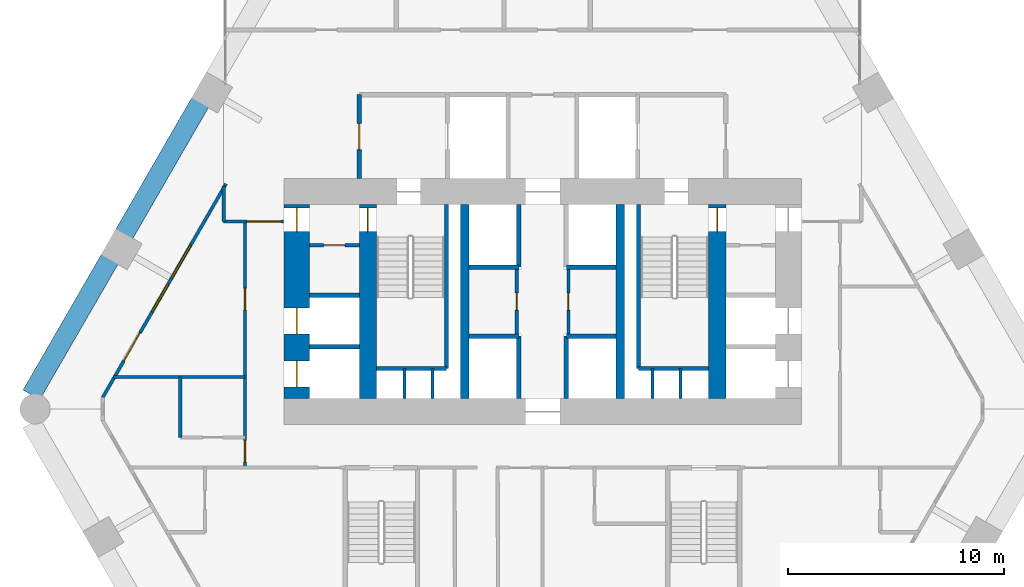
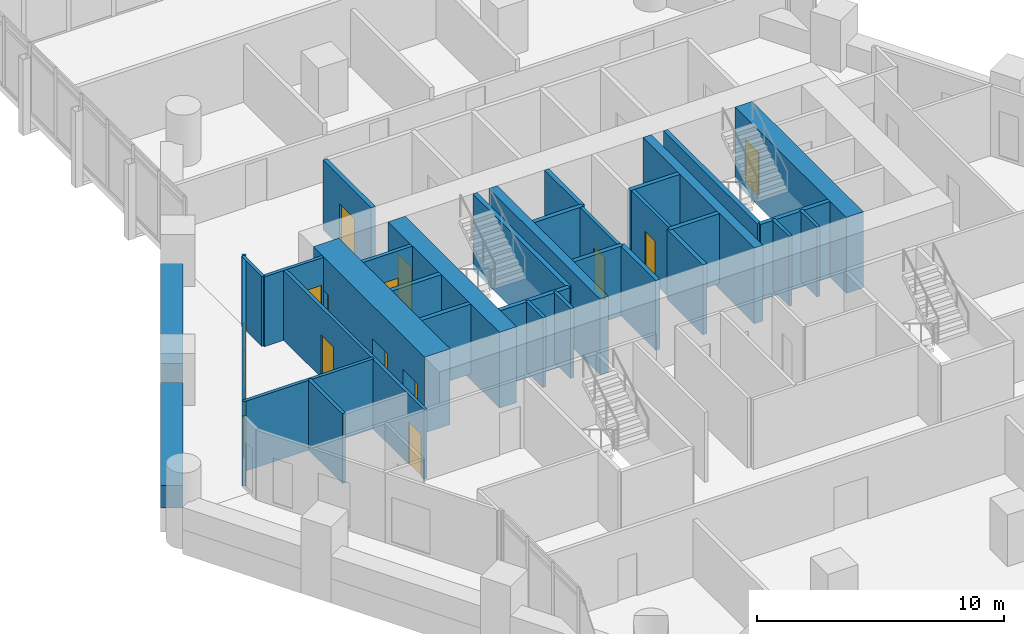
# One storey, part 25 of 28: 34 walls, 13 doors, 2 windows, 15 openings.
"""IFC4 building model written with IfcOpenShell, lengths in metres."""

from ifc_helpers import new_model, si_unit, direction, frame, frame_2d, origin, place, context, subcontext, project, spatial, rectangle, extrude, material, layer, layer_set, type_object, element, fill, save


model = new_model("IFC4")

# Units and contexts
model_context = context("Model", 3, precision=1e-05, world=origin(), true_north=direction((0.0, 1.0)))
body_context = subcontext(model_context, "Body", "Model", "MODEL_VIEW")
ifc_project = project(units=[si_unit("LENGTHUNIT", "METRE"), si_unit("AREAUNIT", "SQUARE_METRE"), si_unit("VOLUMEUNIT", "CUBIC_METRE"), si_unit("PLANEANGLEUNIT", "RADIAN"), si_unit("MASSUNIT", "GRAM", prefix="KILO")], contexts=[model_context])

# Site, building, storey
site_placement = place(None, origin())
site = spatial("IfcSite", under=ifc_project, at=site_placement, CompositionType="ELEMENT")
building_placement = place(site_placement, origin())
building = spatial("IfcBuilding", under=site, at=building_placement, Name="Ostrander Bayou Hotel Tower", CompositionType="ELEMENT")
storey_placement = place(building_placement, frame((0.0, 0.0, 73.0)))
storey = spatial("IfcBuildingStorey", under=building, at=storey_placement, Name="L18", CompositionType="ELEMENT", Elevation=73.0)

# Wall, openings, doors
ifc_material_1 = material(Name="Concrete f'c 70 MPa", Category="concrete")
ifc_layer_1 = layer(ifc_material_1, 1.199951171875)
ifc_layer_set_1 = layer_set([ifc_layer_1], Name="CW1 core wall 1200 mm f'c 70 MPa")
wall_type_1 = type_object("IfcWallType", Name="CW1 core wall 1200 mm f'c 70 MPa", PredefinedType="SHEAR", material=ifc_layer_set_1)
wall_1_placement = place(storey_placement, frame((-11.39990234375, -0.5, -0.300048828125), z_axis=(0.0, 0.0, 1.0), x_axis=(0.0, 1.0, 0.0)))
wall_1 = element("IfcWall", 1, at=wall_1_placement, inside=storey, type_object=wall_type_1, Name="CW1 L18 RW", PredefinedType="SHEAR", context=body_context, shape_type="SweptSolid", body=[
    extrude(rectangle(XDim=9.0, YDim=1.199951171875, at=frame_2d((4.5, 0.0))), origin(), (0.0, 0.0, 1.0), 3.75),
])
opening_1_placement = place(wall_1_placement, frame((7.75, 0.0, 0.0)))
opening_1 = element("IfcOpeningElement", 2, at=opening_1_placement, cuts=wall_1, Name="Opening T18-017", PredefinedType="OPENING", context=body_context, shape_type="SweptSolid", body=[
    extrude(rectangle(XDim=1.10009765625, YDim=2.10009765625, at=frame_2d((0.550048828125, 1.050048828125))), frame((0.0, 0.60009765625, 0.0), z_axis=(0.0, -1.0, 0.0), x_axis=(1.0, 0.0, 0.0)), (0.0, 0.0, 1.0), 1.199951171875),
])
opening_2_placement = place(wall_1_placement, frame((0.550048828125, 0.0, 0.0)))
opening_2 = element("IfcOpeningElement", 3, at=opening_2_placement, cuts=wall_1, Name="Opening T18-018", PredefinedType="OPENING", context=body_context, shape_type="SweptSolid", body=[
    extrude(rectangle(XDim=1.199951171875, YDim=2.10009765625, at=frame_2d((0.60009765625, 1.050048828125))), frame((0.0, 0.60009765625, 0.0), z_axis=(0.0, -1.0, 0.0), x_axis=(1.0, 0.0, 0.0)), (0.0, 0.0, 1.0), 1.199951171875),
])
opening_3_placement = place(wall_1_placement, frame((3.0, 0.0, 0.0)))
opening_3 = element("IfcOpeningElement", 4, at=opening_3_placement, cuts=wall_1, Name="Opening T18-019", PredefinedType="OPENING", context=body_context, shape_type="SweptSolid", body=[
    extrude(rectangle(XDim=1.199951171875, YDim=2.10009765625, at=frame_2d((0.60009765625, 1.050048828125))), frame((0.0, 0.60009765625, 0.0), z_axis=(0.0, -1.0, 0.0), x_axis=(1.0, 0.0, 0.0)), (0.0, 0.0, 1.0), 1.199951171875),
])
ifc_material_2 = material(Name="Timber door leaf", Category="wood")
door_type_1 = type_object("IfcDoorType", Name="D5 stair door 1100 x 2100 mm, 90 minute", OperationType="SINGLE_SWING_LEFT", PredefinedType="DOOR", material=ifc_material_2)
door_1_placement = place(opening_1_placement, origin())
door_1 = element("IfcDoor", 5, at=door_1_placement, inside=storey, type_object=door_type_1, Name="dr:L18:017", OperationType="SINGLE_SWING_LEFT", OverallHeight=2.10009765625, OverallWidth=1.10009765625, PredefinedType="DOOR", context=body_context, shape_type="SweptSolid", body=[
    extrude(rectangle(XDim=1.10009765625, YDim=2.10009765625, at=frame_2d((0.550048828125, 1.050048828125))), frame((0.0, 0.02490234375, 0.0), z_axis=(0.0, -1.0, 0.0), x_axis=(1.0, 0.0, 0.0)), (0.0, 0.0, 1.0), 0.050048828125),
])
fill(opening_1, door_1)
ifc_material_3 = material(Name="Stainless steel sliding door", Category="steel")
door_type_2 = type_object("IfcDoorType", Name="LD1 lift landing door 1200 x 2100 mm", OperationType="SINGLE_SWING_LEFT", PredefinedType="DOOR", material=ifc_material_3)
door_2_placement = place(opening_2_placement, origin())
door_2 = element("IfcDoor", 6, at=door_2_placement, inside=storey, type_object=door_type_2, Name="dr:L18:018", OperationType="SLIDING_TO_LEFT", OverallHeight=2.10009765625, OverallWidth=1.199951171875, PredefinedType="DOOR", context=body_context, shape_type="SweptSolid", body=[
    extrude(rectangle(XDim=1.199951171875, YDim=2.10009765625, at=frame_2d((0.60009765625, 1.050048828125))), frame((0.0, 0.02490234375, 0.0), z_axis=(0.0, -1.0, 0.0), x_axis=(1.0, 0.0, 0.0)), (0.0, 0.0, 1.0), 0.050048828125),
])
fill(opening_2, door_2)
door_3_placement = place(opening_3_placement, origin())
door_3 = element("IfcDoor", 7, at=door_3_placement, inside=storey, type_object=door_type_2, Name="dr:L18:019", OperationType="SLIDING_TO_LEFT", OverallHeight=2.10009765625, OverallWidth=1.199951171875, PredefinedType="DOOR", context=body_context, shape_type="SweptSolid", body=[
    extrude(rectangle(XDim=1.199951171875, YDim=2.10009765625, at=frame_2d((0.60009765625, 1.050048828125))), frame((0.0, 0.02490234375, 0.0), z_axis=(0.0, -1.0, 0.0), x_axis=(1.0, 0.0, 0.0)), (0.0, 0.0, 1.0), 0.050048828125),
])
fill(opening_3, door_3)

# Wall, opening, door
ifc_material_4 = material(Name="Concrete f'c 70 MPa", Category="concrete")
ifc_layer_2 = layer(ifc_material_4, 0.800048828125)
ifc_layer_set_2 = layer_set([ifc_layer_2], Name="CW2 core spine wall 800 mm f'c 70 MPa")
wall_type_2 = type_object("IfcWallType", Name="CW2 core spine wall 800 mm f'c 70 MPa", PredefinedType="SHEAR", material=ifc_layer_set_2)
wall_2_placement = place(storey_placement, frame((-8.10009765625, -0.5, -0.300048828125), z_axis=(0.0, 0.0, 1.0), x_axis=(0.0, 1.0, 0.0)))
wall_2 = element("IfcWall", 8, at=wall_2_placement, inside=storey, type_object=wall_type_2, Name="CW2 L18 W", PredefinedType="SHEAR", context=body_context, shape_type="SweptSolid", body=[
    extrude(rectangle(XDim=9.0, YDim=0.800048828125, at=frame_2d((4.5, 0.0))), origin(), (0.0, 0.0, 1.0), 3.75),
])
opening_4_placement = place(wall_2_placement, frame((7.75, 0.0, 0.0)))
opening_4 = element("IfcOpeningElement", 9, at=opening_4_placement, cuts=wall_2, Name="Opening T18-004", PredefinedType="OPENING", context=body_context, shape_type="SweptSolid", body=[
    extrude(rectangle(XDim=1.10009765625, YDim=2.10009765625, at=frame_2d((0.550048828125, 1.050048828125))), frame((0.0, 0.39990234375, 0.0), z_axis=(0.0, -1.0, 0.0), x_axis=(1.0, 0.0, 0.0)), (0.0, 0.0, 1.0), 0.800048828125),
])
door_4_placement = place(opening_4_placement, origin())
door_4 = element("IfcDoor", 10, at=door_4_placement, inside=storey, type_object=door_type_1, Name="dr:L18:004", OperationType="SINGLE_SWING_RIGHT", OverallHeight=2.10009765625, OverallWidth=1.10009765625, PredefinedType="DOOR", context=body_context, shape_type="SweptSolid", body=[
    extrude(rectangle(XDim=1.10009765625, YDim=2.10009765625, at=frame_2d((0.550048828125, 1.050048828125))), frame((0.0, 0.02490234375, 0.0), z_axis=(0.0, -1.0, 0.0), x_axis=(1.0, 0.0, 0.0)), (0.0, 0.0, 1.0), 0.050048828125),
])
fill(opening_4, door_4)

wall_3_placement = place(storey_placement, frame((8.10009765625, -0.5, -0.300048828125), z_axis=(0.0, 0.0, 1.0), x_axis=(0.0, 1.0, 0.0)))
wall_3 = element("IfcWall", 11, at=wall_3_placement, inside=storey, type_object=wall_type_2, Name="CW2 L18 E", PredefinedType="SHEAR", context=body_context, shape_type="SweptSolid", body=[
    extrude(rectangle(XDim=9.0, YDim=0.800048828125, at=frame_2d((4.5, 0.0))), origin(), (0.0, 0.0, 1.0), 3.75),
])
opening_5_placement = place(wall_3_placement, frame((7.75, 0.0, 0.0)))
opening_5 = element("IfcOpeningElement", 12, at=opening_5_placement, cuts=wall_3, Name="Opening T18-006", PredefinedType="OPENING", context=body_context, shape_type="SweptSolid", body=[
    extrude(rectangle(XDim=1.10009765625, YDim=2.10009765625, at=frame_2d((0.550048828125, 1.050048828125))), frame((0.0, 0.39990234375, 0.0), z_axis=(0.0, -1.0, 0.0), x_axis=(1.0, 0.0, 0.0)), (0.0, 0.0, 1.0), 0.800048828125),
])
door_5_placement = place(opening_5_placement, origin())
door_5 = element("IfcDoor", 13, at=door_5_placement, inside=storey, type_object=door_type_1, Name="dr:L18:006", OperationType="SINGLE_SWING_LEFT", OverallHeight=2.10009765625, OverallWidth=1.10009765625, PredefinedType="DOOR", context=body_context, shape_type="SweptSolid", body=[
    extrude(rectangle(XDim=1.10009765625, YDim=2.10009765625, at=frame_2d((0.550048828125, 1.050048828125))), frame((0.0, 0.02490234375, 0.0), z_axis=(0.0, -1.0, 0.0), x_axis=(1.0, 0.0, 0.0)), (0.0, 0.0, 1.0), 0.050048828125),
])
fill(opening_5, door_5)

# Walls
ifc_material_5 = material(Name="Concrete f'c 70 MPa", Category="concrete")
ifc_layer_3 = layer(ifc_material_5, 0.39990234375)
ifc_layer_set_3 = layer_set([ifc_layer_3], Name="CW3 core bank wall 400 mm f'c 70 MPa")
wall_type_3 = type_object("IfcWallType", Name="CW3 core bank wall 400 mm f'c 70 MPa", PredefinedType="SHEAR", material=ifc_layer_set_3)
for number, where, z_axis, x_axis, name in (
    (14, (-3.60009765625, -0.5, -0.300048828125), (0.0, 0.0, 1.0), (0.0, 1.0, 0.0), "CW3 L18 CW"),
    (15, (3.60009765625, -0.5, -0.300048828125), (0.0, 0.0, 1.0), (0.0, 1.0, 0.0), "CW3 L18 CE"),
):
    element("IfcWall", number, at=place(storey_placement, frame(where, z_axis=z_axis, x_axis=x_axis)), inside=storey, type_object=wall_type_3, Name=name, PredefinedType="SHEAR", context=body_context, shape_type="SweptSolid", body=[
        extrude(rectangle(XDim=9.0, YDim=0.39990234375, at=frame_2d((4.5, 0.0))), origin(), (0.0, 0.0, 1.0), 3.75),
    ])

# Wall, openings, door, windows
ifc_material_6 = material(Name="Aluminium framed insulated wall", Category="aluminium")
ifc_layer_4 = layer(ifc_material_6, 0.14990234375)
ifc_layer_set_4 = layer_set([ifc_layer_4], Name="GW1 glass-line wall 150 mm")
wall_type_4 = type_object("IfcWallType", Name="GW1 glass-line wall 150 mm", PredefinedType="SOLIDWALL", material=ifc_layer_set_4)
wall_4_placement = place(storey_placement, frame((-14.678955078125, 9.46142578125, 0.0), z_axis=(0.0, 0.0, 1.0), x_axis=(-0.499991453095, -0.866030338286, 0.0)))
wall_4 = element("IfcWall", 16, at=wall_4_placement, inside=storey, type_object=wall_type_4, Name="GW1 L18 NW 1", PredefinedType="SOLIDWALL", context=body_context, shape_type="SweptSolid", body=[
    extrude(rectangle(XDim=11.444091796875, YDim=0.14990234375, at=frame_2d((5.72216796875, 0.0))), origin(), (0.0, 0.0, 1.0), 3.449951171875),
])
opening_6_placement = place(wall_4_placement, frame((3.25439453125, 0.0, 0.14990234375)))
opening_6 = element("IfcOpeningElement", 17, at=opening_6_placement, cuts=wall_4, Name="Opening W7", PredefinedType="OPENING", context=body_context, shape_type="SweptSolid", body=[
    extrude(rectangle(XDim=1.800048828125, YDim=2.199951171875, at=frame_2d((0.89990234375, 1.10009765625))), frame((0.0, 0.074951171875, 0.0), z_axis=(0.0, -1.0, 0.0), x_axis=(1.0, 0.0, 0.0)), (0.0, 0.0, 1.0), 0.14990234375),
])
opening_7_placement = place(wall_4_placement, frame((5.3544921875, 0.0, 0.14990234375)))
opening_7 = element("IfcOpeningElement", 18, at=opening_7_placement, cuts=wall_4, Name="Opening W11", PredefinedType="OPENING", context=body_context, shape_type="SweptSolid", body=[
    extrude(rectangle(XDim=1.5, YDim=2.199951171875, at=frame_2d((0.75, 1.10009765625))), frame((0.0, 0.074951171875, 0.0), z_axis=(0.0, -1.0, 0.0), x_axis=(1.0, 0.0, 0.0)), (0.0, 0.0, 1.0), 0.14990234375),
])
opening_8_placement = place(wall_4_placement, frame((7.973876953125, 0.0, 0.0)))
opening_8 = element("IfcOpeningElement", 19, at=opening_8_placement, cuts=wall_4, Name="Opening T18-800", PredefinedType="OPENING", context=body_context, shape_type="SweptSolid", body=[
    extrude(rectangle(XDim=1.5, YDim=2.39990234375, at=frame_2d((0.75, 1.199951171875))), frame((0.0, 0.074951171875, 0.0), z_axis=(0.0, -1.0, 0.0), x_axis=(1.0, 0.0, 0.0)), (0.0, 0.0, 1.0), 0.14990234375),
])
ifc_material_7 = material(Name="Aluminium and clear glass", Category="aluminium")
door_type_3 = type_object("IfcDoorType", Name="SD1 sliding glass door 1500 mm, zone 1", OperationType="SLIDING_TO_LEFT", PredefinedType="DOOR", material=ifc_material_7)
door_6_placement = place(opening_8_placement, origin())
door_6 = element("IfcDoor", 20, at=door_6_placement, inside=storey, type_object=door_type_3, Name="SD1 L18 NW 5", OperationType="SLIDING_TO_LEFT", OverallHeight=2.39990234375, OverallWidth=1.5, PredefinedType="DOOR", context=body_context, shape_type="SweptSolid", body=[
    extrude(rectangle(XDim=1.5, YDim=2.39990234375, at=frame_2d((0.75, 1.199951171875))), frame((0.0, 0.02490234375, 0.0), z_axis=(0.0, -1.0, 0.0), x_axis=(1.0, 0.0, 0.0)), (0.0, 0.0, 1.0), 0.050048828125),
])
fill(opening_8, door_6)
ifc_material_8 = material(Name="Aluminium and clear glass", Category="aluminium")
window_type_1 = type_object("IfcWindowType", Name="W11 fixed window 1500 mm, bath bay, zone 1", PartitioningType="SINGLE_PANEL", PredefinedType="WINDOW", material=ifc_material_8)
window_1_placement = place(opening_7_placement, origin())
window_1 = element("IfcWindow", 21, at=window_1_placement, inside=storey, type_object=window_type_1, Name="W11 L18 NW 4", OverallHeight=2.199951171875, OverallWidth=1.5, PartitioningType="SINGLE_PANEL", PredefinedType="WINDOW", context=body_context, shape_type="SweptSolid", body=[
    extrude(rectangle(XDim=1.5, YDim=2.199951171875, at=frame_2d((0.75, 1.10009765625))), frame((0.0, 0.030029296875, 0.0), z_axis=(0.0, -1.0, 0.0), x_axis=(1.0, 0.0, 0.0)), (0.0, 0.0, 1.0), 0.06005859375),
])
fill(opening_7, window_1)
ifc_material_9 = material(Name="Aluminium and clear glass", Category="aluminium")
window_type_2 = type_object("IfcWindowType", Name="W7 fixed window 1800 mm, bar storeys, zone 1", PartitioningType="SINGLE_PANEL", PredefinedType="WINDOW", material=ifc_material_9)
window_2_placement = place(opening_6_placement, origin())
window_2 = element("IfcWindow", 22, at=window_2_placement, inside=storey, type_object=window_type_2, Name="W7 L18 NW 4", OverallHeight=2.199951171875, OverallWidth=1.800048828125, PartitioningType="SINGLE_PANEL", PredefinedType="WINDOW", context=body_context, shape_type="SweptSolid", body=[
    extrude(rectangle(XDim=1.800048828125, YDim=2.199951171875, at=frame_2d((0.89990234375, 1.10009765625))), frame((0.0, 0.030029296875, 0.0), z_axis=(0.0, -1.0, 0.0), x_axis=(1.0, 0.0, 0.0)), (0.0, 0.0, 1.0), 0.06005859375),
])
fill(opening_6, window_2)

# Walls
ifc_material_10 = material(Name="Concrete f'c 40 MPa", Category="concrete")
ifc_layer_5 = layer(ifc_material_10, 0.89990234375)
ifc_layer_set_5 = layer_set([ifc_layer_5], Name="PA1 stone-faced parapet 900 mm")
wall_type_5 = type_object("IfcWallType", Name="PA1 stone-faced parapet 900 mm", PredefinedType="PARAPET", material=ifc_layer_set_5)
wall_5_placement = place(storey_placement, frame((-15.876708984375, 13.237060546875, 0.0), z_axis=(0.0, 0.0, 1.0), x_axis=(-0.500012199891, -0.86601836006, 0.0)))
element("IfcWall", 23, at=wall_5_placement, inside=storey, type_object=wall_type_5, Name="PA1 L18 NW-2", PredefinedType="PARAPET", context=body_context, shape_type="SweptSolid", body=[
    extrude(rectangle(XDim=7.050537109375, YDim=0.89990234375, at=frame_2d((3.525390625, 0.0))), origin(), (0.0, 0.0, 1.0), 1.10009765625),
])
wall_6_placement = place(storey_placement, frame((-20.072021484375, 5.970458984375, 0.0), z_axis=(0.0, 0.0, 1.0), x_axis=(-0.50000343918, -0.866023418164, 0.0)))
element("IfcWall", 24, at=wall_6_placement, inside=storey, type_object=wall_type_5, Name="PA1 L18 NW-3", PredefinedType="PARAPET", context=body_context, shape_type="SweptSolid", body=[
    extrude(rectangle(XDim=7.2705078125, YDim=0.89990234375, at=frame_2d((3.63525390625, 0.0))), origin(), (0.0, 0.0, 1.0), 1.10009765625),
])

# Wall, opening, door
ifc_material_11 = material(Name="Gypsum board partition", Category="finish")
ifc_layer_6 = layer(ifc_material_11, 0.175048828125)
ifc_layer_set_6 = layer_set([ifc_layer_6], Name="PT4 corridor wall 175 mm, 1 hour")
wall_type_6 = type_object("IfcWallType", Name="PT4 corridor wall 175 mm, 1 hour", PredefinedType="PARTITIONING", material=ifc_layer_set_6)
wall_7_placement = place(storey_placement, frame((-10.800048828125, 6.614013671875, 0.0), z_axis=(0.0, 0.0, 1.0), x_axis=(1.0, 0.0, 0.0)))
wall_7 = element("IfcWall", 25, at=wall_7_placement, inside=storey, type_object=wall_type_6, Name="cs:L18:036", PredefinedType="PARTITIONING", context=body_context, shape_type="SweptSolid", body=[
    extrude(rectangle(XDim=2.300048828125, YDim=0.175048828125, at=frame_2d((1.14990234375, 0.0))), origin(), (0.0, 0.0, 1.0), 3.449951171875),
])
opening_9_placement = place(wall_7_placement, frame((0.64990234375, 0.0, 0.0)))
opening_9 = element("IfcOpeningElement", 26, at=opening_9_placement, cuts=wall_7, Name="Opening T18-016", PredefinedType="OPENING", context=body_context, shape_type="SweptSolid", body=[
    extrude(rectangle(XDim=1.0, YDim=2.10009765625, at=frame_2d((0.5, 1.050048828125))), frame((0.0, 0.08740234375, 0.0), z_axis=(0.0, -1.0, 0.0), x_axis=(1.0, 0.0, 0.0)), (0.0, 0.0, 1.0), 0.175048828125),
])
ifc_material_12 = material(Name="Timber door leaf", Category="wood")
door_type_4 = type_object("IfcDoorType", Name="D4 corridor door 1000 x 2100 mm, 1 hour", OperationType="SINGLE_SWING_LEFT", PredefinedType="DOOR", material=ifc_material_12)
door_7_placement = place(opening_9_placement, origin())
door_7 = element("IfcDoor", 27, at=door_7_placement, inside=storey, type_object=door_type_4, Name="dr:L18:016", OperationType="SINGLE_SWING_LEFT", OverallHeight=2.10009765625, OverallWidth=1.0, PredefinedType="DOOR", context=body_context, shape_type="SweptSolid", body=[
    extrude(rectangle(XDim=1.0, YDim=2.10009765625, at=frame_2d((0.5, 1.050048828125))), frame((0.0, 0.02490234375, 0.0), z_axis=(0.0, -1.0, 0.0), x_axis=(1.0, 0.0, 0.0)), (0.0, 0.0, 1.0), 0.050048828125),
])
fill(opening_9, door_7)

ifc_material_13 = material(Name="Masonry block", Category="masonry")
ifc_layer_7 = layer(ifc_material_13, 0.199951171875)
ifc_layer_set_7 = layer_set([ifc_layer_7], Name="PT5 stair enclosure wall 200 mm masonry, 2 hour")
wall_type_7 = type_object("IfcWallType", Name="PT5 stair enclosure wall 200 mm masonry, 2 hour", PredefinedType="PARTITIONING", material=ifc_layer_set_7)
wall_8_placement = place(storey_placement, frame((-8.5, 9.699951171875, 0.0), z_axis=(0.0, 0.0, 1.0), x_axis=(0.0, 1.0, 0.0)))
wall_8 = element("IfcWall", 28, at=wall_8_placement, inside=storey, type_object=wall_type_7, Name="cs:L18:026", PredefinedType="PARTITIONING", context=body_context, shape_type="SweptSolid", body=[
    extrude(rectangle(XDim=3.900146484375, YDim=0.199951171875, at=frame_2d((1.9501953125, 0.0))), origin(), (0.0, 0.0, 1.0), 3.449951171875),
])
opening_10_placement = place(wall_8_placement, frame((1.35009765625, 0.0, 0.0)))
opening_10 = element("IfcOpeningElement", 29, at=opening_10_placement, cuts=wall_8, Name="Opening T18-010", PredefinedType="OPENING", context=body_context, shape_type="SweptSolid", body=[
    extrude(rectangle(XDim=1.199951171875, YDim=2.10009765625, at=frame_2d((0.60009765625, 1.050048828125))), frame((0.0, 0.10009765625, 0.0), z_axis=(0.0, -1.0, 0.0), x_axis=(1.0, 0.0, 0.0)), (0.0, 0.0, 1.0), 0.199951171875),
])
ifc_material_14 = material(Name="Timber door leaf", Category="wood")
door_type_5 = type_object("IfcDoorType", Name="D7 lobby door 1200 x 2100 mm, 1 hour", OperationType="SINGLE_SWING_LEFT", PredefinedType="DOOR", material=ifc_material_14)
door_8_placement = place(opening_10_placement, origin())
door_8 = element("IfcDoor", 30, at=door_8_placement, inside=storey, type_object=door_type_5, Name="dr:L18:010", OperationType="SINGLE_SWING_LEFT", OverallHeight=2.10009765625, OverallWidth=1.199951171875, PredefinedType="DOOR", context=body_context, shape_type="SweptSolid", body=[
    extrude(rectangle(XDim=1.199951171875, YDim=2.10009765625, at=frame_2d((0.60009765625, 1.050048828125))), frame((0.0, 0.02490234375, 0.0), z_axis=(0.0, -1.0, 0.0), x_axis=(1.0, 0.0, 0.0)), (0.0, 0.0, 1.0), 0.050048828125),
])
fill(opening_10, door_8)

# Walls
ifc_material_15 = material(Name="Masonry block", Category="masonry")
ifc_layer_8 = layer(ifc_material_15, 0.199951171875)
ifc_layer_set_8 = layer_set([ifc_layer_8], Name="PT6 lift shaft wall 200 mm masonry, 2 hour")
wall_type_8 = type_object("IfcWallType", Name="PT6 lift shaft wall 200 mm masonry, 2 hour", PredefinedType="PARTITIONING", material=ifc_layer_set_8)
for number, where, z_axis, x_axis, name in (
    (31, (-3.39990234375, 2.39990234375, 0.0), (0.0, 0.0, 1.0), (1.0, 0.0, 0.0), "cs:L18:001"),
    (32, (-3.39990234375, 5.60009765625, 0.0), (0.0, 0.0, 1.0), (1.0, 0.0, 0.0), "cs:L18:002"),
    (33, (1.10009765625, 2.39990234375, 0.0), (0.0, 0.0, 1.0), (1.0, 0.0, 0.0), "cs:L18:003"),
    (34, (1.10009765625, 5.60009765625, 0.0), (0.0, 0.0, 1.0), (1.0, 0.0, 0.0), "cs:L18:004"),
):
    element("IfcWall", number, at=place(storey_placement, frame(where, z_axis=z_axis, x_axis=x_axis)), inside=storey, type_object=wall_type_8, Name=name, PredefinedType="PARTITIONING", context=body_context, shape_type="SweptSolid", body=[
        extrude(rectangle(XDim=2.2998046875, YDim=0.199951171875, at=frame_2d((1.14990234375, 0.0))), origin(), (0.0, 0.0, 1.0), 3.449951171875),
    ])
for number, where, z_axis, x_axis, name in (
    (35, (-1.10009765625, -0.5, 0.0), (0.0, 0.0, 1.0), (0.0, 1.0, 0.0), "cs:L18:005"),
    (36, (1.10009765625, -0.5, 0.0), (0.0, 0.0, 1.0), (0.0, 1.0, 0.0), "cs:L18:006"),
    (37, (-1.10009765625, 5.60009765625, 0.0), (0.0, 0.0, 1.0), (0.0, 1.0, 0.0), "cs:L18:007"),
):
    element("IfcWall", number, at=place(storey_placement, frame(where, z_axis=z_axis, x_axis=x_axis)), inside=storey, type_object=wall_type_8, Name=name, PredefinedType="PARTITIONING", context=body_context, shape_type="SweptSolid", body=[
        extrude(rectangle(XDim=2.89990234375, YDim=0.199951171875, at=frame_2d((1.449951171875, 0.0))), origin(), (0.0, 0.0, 1.0), 3.449951171875),
    ])
for number, where, z_axis, x_axis, name in (
    (38, (-10.800048828125, 1.89990234375, 0.0), (0.0, 0.0, 1.0), (1.0, 0.0, 0.0), "cs:L18:034"),
    (39, (-10.800048828125, 4.300048828125, 0.0), (0.0, 0.0, 1.0), (1.0, 0.0, 0.0), "cs:L18:035"),
):
    element("IfcWall", number, at=place(storey_placement, frame(where, z_axis=z_axis, x_axis=x_axis)), inside=storey, type_object=wall_type_8, Name=name, PredefinedType="PARTITIONING", context=body_context, shape_type="SweptSolid", body=[
        extrude(rectangle(XDim=2.300048828125, YDim=0.199951171875, at=frame_2d((1.14990234375, 0.0))), origin(), (0.0, 0.0, 1.0), 3.449951171875),
    ])
ifc_material_16 = material(Name="Gypsum board partition", Category="finish")
ifc_layer_9 = layer(ifc_material_16, 0.14990234375)
ifc_layer_set_9 = layer_set([ifc_layer_9], Name="PT7 riser wall 150 mm, 2 hour")
wall_type_9 = type_object("IfcWallType", Name="PT7 riser wall 150 mm, 2 hour", PredefinedType="PARTITIONING", material=ifc_layer_set_9)
for number, where, z_axis, x_axis, name in (
    (40, (-6.39990234375, -0.5, 0.0), (0.0, 0.0, 1.0), (0.0, 1.0, 0.0), "cs:L18:011"),
    (41, (-5.10009765625, -0.5, 0.0), (0.0, 0.0, 1.0), (0.0, 1.0, 0.0), "cs:L18:012"),
    (42, (5.10009765625, -0.5, 0.0), (0.0, 0.0, 1.0), (0.0, 1.0, 0.0), "cs:L18:015"),
    (43, (6.39990234375, -0.5, 0.0), (0.0, 0.0, 1.0), (0.0, 1.0, 0.0), "cs:L18:016"),
):
    element("IfcWall", number, at=place(storey_placement, frame(where, z_axis=z_axis, x_axis=x_axis)), inside=storey, type_object=wall_type_9, Name=name, PredefinedType="PARTITIONING", context=body_context, shape_type="SweptSolid", body=[
        extrude(rectangle(XDim=1.39990234375, YDim=0.14990234375, at=frame_2d((0.699951171875, 0.0))), origin(), (0.0, 0.0, 1.0), 3.449951171875),
    ])

# Wall, opening, door
wall_9_placement = place(storey_placement, frame((-1.199951171875, 2.5, 0.0), z_axis=(0.0, 0.0, 1.0), x_axis=(0.0, 1.0, 0.0)))
wall_9 = element("IfcWall", 44, at=wall_9_placement, inside=storey, type_object=wall_type_9, Name="cs:L18:032", PredefinedType="PARTITIONING", context=body_context, shape_type="SweptSolid", body=[
    extrude(rectangle(XDim=3.0, YDim=0.14990234375, at=frame_2d((1.5, 0.0))), origin(), (0.0, 0.0, 1.0), 3.449951171875),
])
opening_11_placement = place(wall_9_placement, frame((1.10009765625, 0.0, 0.0)))
opening_11 = element("IfcOpeningElement", 45, at=opening_11_placement, cuts=wall_9, Name="Opening T18-014", PredefinedType="OPENING", context=body_context, shape_type="SweptSolid", body=[
    extrude(rectangle(XDim=0.800048828125, YDim=2.10009765625, at=frame_2d((0.39990234375, 1.050048828125))), frame((0.0, 0.074951171875, 0.0), z_axis=(0.0, -1.0, 0.0), x_axis=(1.0, 0.0, 0.0)), (0.0, 0.0, 1.0), 0.14990234375),
])
ifc_material_17 = material(Name="Timber door leaf", Category="wood")
door_type_6 = type_object("IfcDoorType", Name="D6 riser door 800 x 2100 mm, 90 minute", OperationType="SINGLE_SWING_LEFT", PredefinedType="DOOR", material=ifc_material_17)
door_9_placement = place(opening_11_placement, origin())
door_9 = element("IfcDoor", 46, at=door_9_placement, inside=storey, type_object=door_type_6, Name="dr:L18:014", OperationType="SINGLE_SWING_LEFT", OverallHeight=2.10009765625, OverallWidth=0.800048828125, PredefinedType="DOOR", context=body_context, shape_type="SweptSolid", body=[
    extrude(rectangle(XDim=0.800048828125, YDim=2.10009765625, at=frame_2d((0.39990234375, 1.050048828125))), frame((0.0, 0.02490234375, 0.0), z_axis=(0.0, -1.0, 0.0), x_axis=(1.0, 0.0, 0.0)), (0.0, 0.0, 1.0), 0.050048828125),
])
fill(opening_11, door_9)

wall_10_placement = place(storey_placement, frame((1.199951171875, 2.5, 0.0), z_axis=(0.0, 0.0, 1.0), x_axis=(0.0, 1.0, 0.0)))
wall_10 = element("IfcWall", 47, at=wall_10_placement, inside=storey, type_object=wall_type_9, Name="cs:L18:033", PredefinedType="PARTITIONING", context=body_context, shape_type="SweptSolid", body=[
    extrude(rectangle(XDim=3.0, YDim=0.14990234375, at=frame_2d((1.5, 0.0))), origin(), (0.0, 0.0, 1.0), 3.449951171875),
])
opening_12_placement = place(wall_10_placement, frame((1.10009765625, 0.0, 0.0)))
opening_12 = element("IfcOpeningElement", 48, at=opening_12_placement, cuts=wall_10, Name="Opening T18-015", PredefinedType="OPENING", context=body_context, shape_type="SweptSolid", body=[
    extrude(rectangle(XDim=0.800048828125, YDim=2.10009765625, at=frame_2d((0.39990234375, 1.050048828125))), frame((0.0, 0.074951171875, 0.0), z_axis=(0.0, -1.0, 0.0), x_axis=(1.0, 0.0, 0.0)), (0.0, 0.0, 1.0), 0.14990234375),
])
door_10_placement = place(opening_12_placement, origin())
door_10 = element("IfcDoor", 49, at=door_10_placement, inside=storey, type_object=door_type_6, Name="dr:L18:015", OperationType="SINGLE_SWING_RIGHT", OverallHeight=2.10009765625, OverallWidth=0.800048828125, PredefinedType="DOOR", context=body_context, shape_type="SweptSolid", body=[
    extrude(rectangle(XDim=0.800048828125, YDim=2.10009765625, at=frame_2d((0.39990234375, 1.050048828125))), frame((0.0, 0.02490234375, 0.0), z_axis=(0.0, -1.0, 0.0), x_axis=(1.0, 0.0, 0.0)), (0.0, 0.0, 1.0), 0.050048828125),
])
fill(opening_12, door_10)

# Wall
ifc_material_18 = material(Name="Gypsum board partition", Category="finish")
ifc_layer_10 = layer(ifc_material_18, 0.14990234375)
ifc_layer_set_10 = layer_set([ifc_layer_10], Name="PT8 service band wall 150 mm, 1 hour")
wall_type_10 = type_object("IfcWallType", Name="PT8 service band wall 150 mm, 1 hour", PredefinedType="PARTITIONING", material=ifc_layer_set_10)
wall_11_placement = place(storey_placement, frame((-19.905029296875, 0.5, 0.0), z_axis=(0.0, 0.0, 1.0), x_axis=(1.0, 0.0, 0.0)))
element("IfcWall", 50, at=wall_11_placement, inside=storey, type_object=wall_type_10, Name="gw:L18:012", PredefinedType="PARTITIONING", context=body_context, shape_type="SweptSolid", body=[
    extrude(rectangle(XDim=6.10498046875, YDim=0.14990234375, at=frame_2d((3.052490234375, 0.0))), origin(), (0.0, 0.0, 1.0), 3.449951171875),
])

# Wall, opening, door
wall_12_placement = place(storey_placement, frame((-14.784912109375, 7.715087890625, 0.0), z_axis=(0.0, 0.0, 1.0), x_axis=(1.0, 0.0, 0.0)))
wall_12 = element("IfcWall", 51, at=wall_12_placement, inside=storey, type_object=wall_type_10, Name="gw:L18:014", PredefinedType="PARTITIONING", context=body_context, shape_type="SweptSolid", body=[
    extrude(rectangle(XDim=2.77490234375, YDim=0.14990234375, at=frame_2d((1.387451171875, 0.0))), origin(), (0.0, 0.0, 1.0), 3.449951171875),
])
opening_13_placement = place(wall_12_placement, frame((1.074951171875, 0.0, 0.0)))
opening_13 = element("IfcOpeningElement", 52, at=opening_13_placement, cuts=wall_12, Name="Opening T18-1212", PredefinedType="OPENING", context=body_context, shape_type="SweptSolid", body=[
    extrude(rectangle(XDim=1.60009765625, YDim=2.10009765625, at=frame_2d((0.800048828125, 1.050048828125))), frame((0.0, 0.074951171875, 0.0), z_axis=(0.0, -1.0, 0.0), x_axis=(1.0, 0.0, 0.0)), (0.0, 0.0, 1.0), 0.14990234375),
])
ifc_material_19 = material(Name="Timber door leaf", Category="wood")
door_type_7 = type_object("IfcDoorType", Name="D13 double door 1600 x 2100 mm, 1 hour", OperationType="SINGLE_SWING_LEFT", PredefinedType="DOOR", material=ifc_material_19)
door_11_placement = place(opening_13_placement, origin())
door_11 = element("IfcDoor", 53, at=door_11_placement, inside=storey, type_object=door_type_7, Name="dr:L18:1212", OperationType="DOUBLE_DOOR_SINGLE_SWING", OverallHeight=2.10009765625, OverallWidth=1.60009765625, PredefinedType="DOOR", context=body_context, shape_type="SweptSolid", body=[
    extrude(rectangle(XDim=1.60009765625, YDim=2.10009765625, at=frame_2d((0.800048828125, 1.050048828125))), frame((0.0, 0.02490234375, 0.0), z_axis=(0.0, -1.0, 0.0), x_axis=(1.0, 0.0, 0.0)), (0.0, 0.0, 1.0), 0.050048828125),
])
fill(opening_13, door_11)

# Wall, openings, doors
wall_13_placement = place(storey_placement, frame((-13.800048828125, -3.699951171875, 0.0), z_axis=(0.0, 0.0, 1.0), x_axis=(0.0, 1.0, 0.0)))
wall_13 = element("IfcWall", 54, at=wall_13_placement, inside=storey, type_object=wall_type_10, Name="gw:L18:022", PredefinedType="PARTITIONING", context=body_context, shape_type="SweptSolid", body=[
    extrude(rectangle(XDim=11.4150390625, YDim=0.14990234375, at=frame_2d((5.70751953125, 0.0))), origin(), (0.0, 0.0, 1.0), 3.449951171875),
])
opening_14_placement = place(wall_13_placement, frame((0.25, 0.0, 0.0)))
opening_14 = element("IfcOpeningElement", 55, at=opening_14_placement, cuts=wall_13, Name="Opening T18-407", PredefinedType="OPENING", context=body_context, shape_type="SweptSolid", body=[
    extrude(rectangle(XDim=1.0, YDim=2.10009765625, at=frame_2d((0.5, 1.050048828125))), frame((0.0, 0.074951171875, 0.0), z_axis=(0.0, -1.0, 0.0), x_axis=(1.0, 0.0, 0.0)), (0.0, 0.0, 1.0), 0.14990234375),
])
opening_15_placement = place(wall_13_placement, frame((7.30810546875, 0.0, 0.0)))
opening_15 = element("IfcOpeningElement", 56, at=opening_15_placement, cuts=wall_13, Name="Opening T18-409", PredefinedType="OPENING", context=body_context, shape_type="SweptSolid", body=[
    extrude(rectangle(XDim=1.0, YDim=2.10009765625, at=frame_2d((0.5, 1.050048828125))), frame((0.0, 0.074951171875, 0.0), z_axis=(0.0, -1.0, 0.0), x_axis=(1.0, 0.0, 0.0)), (0.0, 0.0, 1.0), 0.14990234375),
])
ifc_material_20 = material(Name="Timber door leaf", Category="wood")
door_type_8 = type_object("IfcDoorType", Name="D1 guest room door 1000 x 2100 mm, 30 minute", OperationType="SINGLE_SWING_LEFT", PredefinedType="DOOR", material=ifc_material_20)
door_12_placement = place(opening_14_placement, origin())
door_12 = element("IfcDoor", 57, at=door_12_placement, inside=storey, type_object=door_type_8, Name="dr:L18:407", OperationType="SINGLE_SWING_LEFT", OverallHeight=2.10009765625, OverallWidth=1.0, PredefinedType="DOOR", context=body_context, shape_type="SweptSolid", body=[
    extrude(rectangle(XDim=1.0, YDim=2.10009765625, at=frame_2d((0.5, 1.050048828125))), frame((0.0, 0.02490234375, 0.0), z_axis=(0.0, -1.0, 0.0), x_axis=(1.0, 0.0, 0.0)), (0.0, 0.0, 1.0), 0.050048828125),
])
fill(opening_14, door_12)
ifc_material_21 = material(Name="Timber door leaf", Category="wood")
door_type_9 = type_object("IfcDoorType", Name="D9 service door 1000 x 2100 mm, 30 minute", OperationType="SINGLE_SWING_LEFT", PredefinedType="DOOR", material=ifc_material_21)
door_13_placement = place(opening_15_placement, origin())
door_13 = element("IfcDoor", 58, at=door_13_placement, inside=storey, type_object=door_type_9, Name="dr:L18:409", OperationType="SINGLE_SWING_LEFT", OverallHeight=2.10009765625, OverallWidth=1.0, PredefinedType="DOOR", context=body_context, shape_type="SweptSolid", body=[
    extrude(rectangle(XDim=1.0, YDim=2.10009765625, at=frame_2d((0.5, 1.050048828125))), frame((0.0, 0.02490234375, 0.0), z_axis=(0.0, -1.0, 0.0), x_axis=(1.0, 0.0, 0.0)), (0.0, 0.0, 1.0), 0.050048828125),
])
fill(opening_15, door_13)

# Walls
wall_14_placement = place(storey_placement, frame((-14.784912109375, 7.715087890625, 0.0), z_axis=(0.0, 0.0, 1.0), x_axis=(0.0, 1.0, 0.0)))
element("IfcWall", 59, at=wall_14_placement, inside=storey, type_object=wall_type_10, Name="gw:L18:024", PredefinedType="PARTITIONING", context=body_context, shape_type="SweptSolid", body=[
    extrude(rectangle(XDim=1.65283203125, YDim=0.14990234375, at=frame_2d((0.826416015625, 0.0))), origin(), (0.0, 0.0, 1.0), 3.449951171875),
])
wall_15_placement = place(storey_placement, frame((-16.800048828125, -2.300048828125, 0.0), z_axis=(0.0, 0.0, 1.0), x_axis=(0.0, 1.0, 0.0)))
element("IfcWall", 60, at=wall_15_placement, inside=storey, type_object=wall_type_10, Name="gw:L18:026", PredefinedType="PARTITIONING", context=body_context, shape_type="SweptSolid", body=[
    extrude(rectangle(XDim=2.800048828125, YDim=0.14990234375, at=frame_2d((1.39990234375, 0.0))), origin(), (0.0, 0.0, 1.0), 3.449951171875),
])
ifc_material_22 = material(Name="Concrete f'c 45 MPa", Category="concrete")
ifc_layer_11 = layer(ifc_material_22, 0.199951171875)
ifc_layer_set_11 = layer_set([ifc_layer_11], Name="SW5 stair enclosure wall 200 mm f'c 45 MPa")
wall_type_11 = type_object("IfcWallType", Name="SW5 stair enclosure wall 200 mm f'c 45 MPa", PredefinedType="SOLIDWALL", material=ifc_layer_set_11)
wall_16_placement = place(storey_placement, frame((-4.449951171875, 0.89990234375, -0.300048828125), z_axis=(0.0, 0.0, 1.0), x_axis=(0.0, 1.0, 0.0)))
element("IfcWall", 61, at=wall_16_placement, inside=storey, type_object=wall_type_11, Name="cs:L18:009", PredefinedType="SOLIDWALL", context=body_context, shape_type="SweptSolid", body=[
    extrude(rectangle(XDim=7.60009765625, YDim=0.199951171875, at=frame_2d((3.800048828125, 0.0))), origin(), (0.0, 0.0, 1.0), 3.75),
])
wall_17_placement = place(storey_placement, frame((-7.699951171875, 0.89990234375, -0.300048828125), z_axis=(0.0, 0.0, 1.0), x_axis=(1.0, 0.0, 0.0)))
element("IfcWall", 62, at=wall_17_placement, inside=storey, type_object=wall_type_11, Name="cs:L18:010", PredefinedType="SOLIDWALL", context=body_context, shape_type="SweptSolid", body=[
    extrude(rectangle(XDim=3.25, YDim=0.199951171875, at=frame_2d((1.625, 0.0))), origin(), (0.0, 0.0, 1.0), 3.75),
])
wall_18_placement = place(storey_placement, frame((4.449951171875, 0.89990234375, -0.300048828125), z_axis=(0.0, 0.0, 1.0), x_axis=(0.0, 1.0, 0.0)))
element("IfcWall", 63, at=wall_18_placement, inside=storey, type_object=wall_type_11, Name="cs:L18:013", PredefinedType="SOLIDWALL", context=body_context, shape_type="SweptSolid", body=[
    extrude(rectangle(XDim=7.60009765625, YDim=0.199951171875, at=frame_2d((3.800048828125, 0.0))), origin(), (0.0, 0.0, 1.0), 3.75),
])
wall_19_placement = place(storey_placement, frame((4.449951171875, 0.89990234375, -0.300048828125), z_axis=(0.0, 0.0, 1.0), x_axis=(1.0, 0.0, 0.0)))
element("IfcWall", 64, at=wall_19_placement, inside=storey, type_object=wall_type_11, Name="cs:L18:014", PredefinedType="SOLIDWALL", context=body_context, shape_type="SweptSolid", body=[
    extrude(rectangle(XDim=3.25, YDim=0.199951171875, at=frame_2d((1.625, 0.0))), origin(), (0.0, 0.0, 1.0), 3.75),
])

save(model, "model.ifc")
